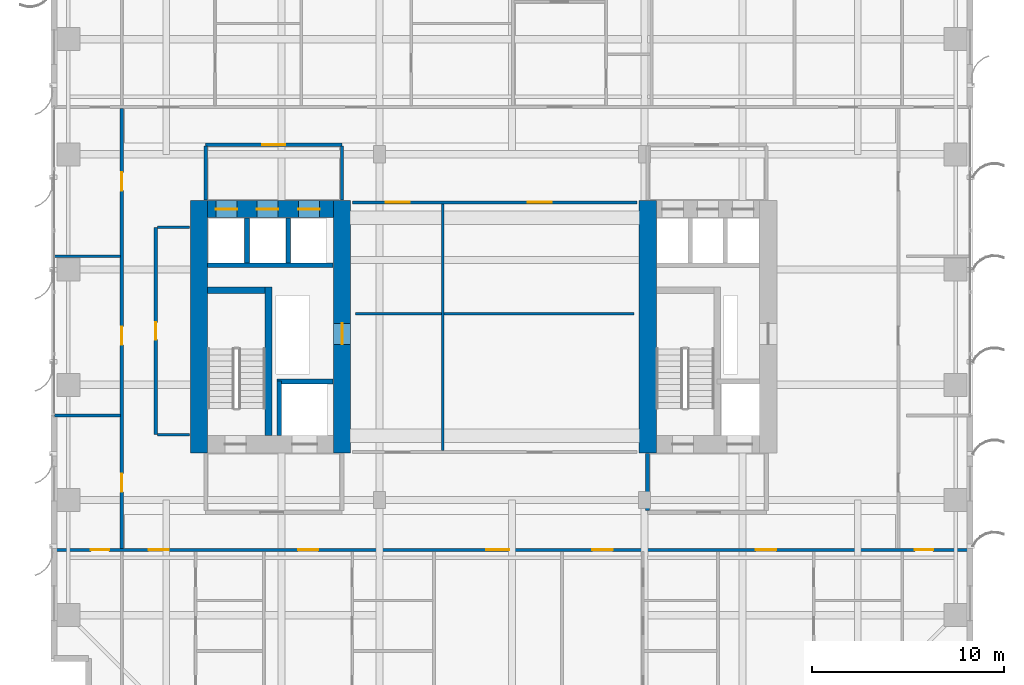
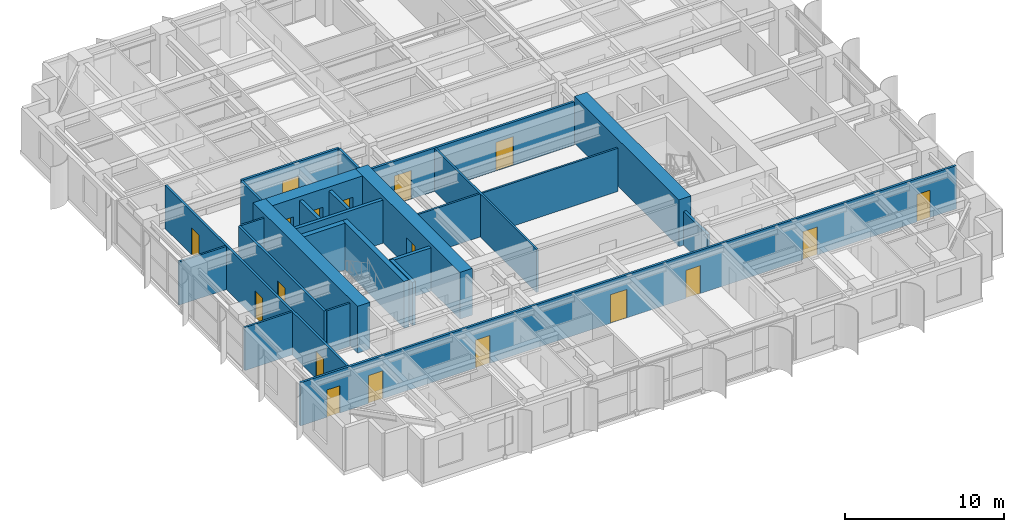
# One storey, part 17 of 24: 25 walls, 18 doors, 18 openings.
"""IFC4 building model written with IfcOpenShell, lengths in metres."""

from ifc_helpers import new_model, si_unit, direction, frame, frame_2d, origin, place, context, subcontext, project, spatial, rectangle, extrude, source, transform, mapped, material, layer, layer_set, type_object, element, fill, save


model = new_model("IFC4")

# Units and contexts
model_context = context("Model", 3, precision=1e-05, world=origin(), true_north=direction((0.0, 1.0)))
body_context = subcontext(model_context, "Body", "Model", "MODEL_VIEW")
ifc_project = project(units=[si_unit("LENGTHUNIT", "METRE"), si_unit("AREAUNIT", "SQUARE_METRE"), si_unit("VOLUMEUNIT", "CUBIC_METRE"), si_unit("PLANEANGLEUNIT", "RADIAN"), si_unit("MASSUNIT", "GRAM", prefix="KILO")], contexts=[model_context])

# Site, building, storey
site_placement = place(None, origin())
site = spatial("IfcSite", under=ifc_project, at=site_placement, CompositionType="ELEMENT")
building_placement = place(site_placement, origin())
building = spatial("IfcBuilding", under=site, at=building_placement, Name="Khoralis Quay Care Tower", CompositionType="ELEMENT")
storey_placement = place(building_placement, frame((0.0, 0.0, 40.5)))
storey = spatial("IfcBuildingStorey", under=building, at=storey_placement, Name="L10", CompositionType="ELEMENT", Elevation=40.5)

# Walls
ifc_material_1 = material(Name="Gypsum plasterboard on acoustic metal stud")
ifc_layer_1 = layer(ifc_material_1, 0.199951171875)
ifc_layer_set_1 = layer_set([ifc_layer_1], Name="Gypsum plasterboard on acoustic metal stud")
wall_type_1 = type_object("IfcWallType", Name="WL-COMP-200", PredefinedType="PARTITIONING", material=ifc_layer_set_1)
wall_1_placement = place(storey_placement, frame((31.050048828125, 11.445068359375, 0.0), z_axis=(0.0, 0.0, 1.0), x_axis=(0.0, 1.0, 0.0)))
element("IfcWall", 1, at=wall_1_placement, inside=storey, type_object=wall_type_1, Name="L10 East Firefighting Lobby West Wall", PredefinedType="PARTITIONING", context=body_context, shape_type="SweptSolid", body=[
    extrude(rectangle(XDim=2.98486328125, YDim=0.199951171875, at=frame_2d((1.492431640625, 0.0))), origin(), (0.0, 0.0, 1.0), 2.625),
])
ifc_material_2 = material(Name="Concrete C80/95", Category="concrete")
ifc_layer_2 = layer(ifc_material_2, 0.89990234375)
ifc_layer_set_2 = layer_set([ifc_layer_2], Name="Concrete C80/95")
wall_type_2 = type_object("IfcWallType", Name="WL-CORE-900", PredefinedType="SHEAR", material=ifc_layer_set_2)
wall_2_placement = place(storey_placement, frame((7.699951171875, 14.449951171875, 0.0), z_axis=(0.0, 0.0, 1.0), x_axis=(0.0, 1.0, 0.0)))
element("IfcWall", 2, at=wall_2_placement, inside=storey, type_object=wall_type_2, Name="L10 WCORE West Shear Wall", PredefinedType="SHEAR", context=body_context, shape_type="SweptSolid", body=[
    extrude(rectangle(XDim=13.150146484375, YDim=0.89990234375, at=frame_2d((6.5751953125, 0.0))), origin(), (0.0, 0.0, 1.0), 3.60009765625),
])

# Wall, opening, door
wall_3_placement = place(storey_placement, frame((15.14990234375, 14.449951171875, 0.0), z_axis=(0.0, 0.0, 1.0), x_axis=(0.0, 1.0, 0.0)))
wall_3 = element("IfcWall", 3, at=wall_3_placement, inside=storey, type_object=wall_type_2, Name="L10 WCORE East Shear Wall", PredefinedType="SHEAR", context=body_context, shape_type="SweptSolid", body=[
    extrude(rectangle(XDim=13.150146484375, YDim=0.89990234375, at=frame_2d((6.5751953125, 0.0))), origin(), (0.0, 0.0, 1.0), 3.60009765625),
])
opening_1_placement = place(wall_3_placement, frame((5.64990234375, 0.0, 0.0)))
opening_1 = element("IfcOpeningElement", 4, at=opening_1_placement, cuts=wall_3, Name="Opening SD1", PredefinedType="OPENING", context=body_context, shape_type="SweptSolid", body=[
    extrude(rectangle(XDim=1.10009765625, YDim=2.199951171875, at=frame_2d((0.550048828125, 1.10009765625))), frame((0.0, 0.4599609375, 0.0), z_axis=(0.0, -1.0, 0.0), x_axis=(1.0, 0.0, 0.0)), (0.0, 0.0, 1.0), 0.919921875),
])
ifc_material_3 = material(Name="Fire-rated painted steel", Category="steel")
door_type_1 = type_object("IfcDoorType", Name="DR-STAIR-1100X2200", OperationType="NOTDEFINED", PredefinedType="DOOR", material=ifc_material_3)
shared_shape_1 = source(origin(), body_context, "Body", "SweptSolid", [
    extrude(rectangle(XDim=1.10009765625, YDim=2.199951171875, at=frame_2d((0.550048828125, 1.10009765625))), frame((0.0, 0.02490234375, 0.0), z_axis=(0.0, -1.0, 0.0), x_axis=(1.0, 0.0, 0.0)), (0.0, 0.0, 1.0), 0.050048828125),
])
door_1_placement = place(opening_1_placement, origin())
door_1 = element("IfcDoor", 5, at=door_1_placement, inside=storey, type_object=door_type_1, Name="L10 West MEP Riser Door", OperationType="SINGLE_SWING_RIGHT", OverallHeight=2.199951171875, OverallWidth=1.10009765625, PredefinedType="DOOR", context=body_context, shape_type="MappedRepresentation", body=[
    mapped(shared_shape_1, transform((0.0, 0.0, 0.0), scale=1.0)),
])
fill(opening_1, door_1)

# Wall, openings, doors
wall_4_placement = place(storey_placement, frame((8.14990234375, 27.14990234375, 0.0), z_axis=(0.0, 0.0, 1.0), x_axis=(1.0, 0.0, 0.0)))
wall_4 = element("IfcWall", 6, at=wall_4_placement, inside=storey, type_object=wall_type_2, Name="L10 WCORE North Shear Wall", PredefinedType="SHEAR", context=body_context, shape_type="SweptSolid", body=[
    extrude(rectangle(XDim=6.550048828125, YDim=0.89990234375, at=frame_2d((3.27490234375, 0.0))), origin(), (0.0, 0.0, 1.0), 3.60009765625),
])
opening_2_placement = place(wall_4_placement, frame((0.429931640625, 0.0, 0.0)))
opening_2 = element("IfcOpeningElement", 7, at=opening_2_placement, cuts=wall_4, Name="Opening LD1", PredefinedType="OPENING", context=body_context, shape_type="SweptSolid", body=[
    extrude(rectangle(XDim=1.10009765625, YDim=2.199951171875, at=frame_2d((0.550048828125, 1.10009765625))), frame((0.0, 0.4599609375, 0.0), z_axis=(0.0, -1.0, 0.0), x_axis=(1.0, 0.0, 0.0)), (0.0, 0.0, 1.0), 0.919921875),
])
opening_3_placement = place(wall_4_placement, frame((2.570068359375, 0.0, 0.0)))
opening_3 = element("IfcOpeningElement", 8, at=opening_3_placement, cuts=wall_4, Name="Opening LD1", PredefinedType="OPENING", context=body_context, shape_type="SweptSolid", body=[
    extrude(rectangle(XDim=1.10009765625, YDim=2.199951171875, at=frame_2d((0.550048828125, 1.10009765625))), frame((0.0, 0.4599609375, 0.0), z_axis=(0.0, -1.0, 0.0), x_axis=(1.0, 0.0, 0.0)), (0.0, 0.0, 1.0), 0.919921875),
])
opening_4_placement = place(wall_4_placement, frame((4.72998046875, 0.0, 0.0)))
opening_4 = element("IfcOpeningElement", 9, at=opening_4_placement, cuts=wall_4, Name="Opening LD1", PredefinedType="OPENING", context=body_context, shape_type="SweptSolid", body=[
    extrude(rectangle(XDim=1.10009765625, YDim=2.199951171875, at=frame_2d((0.550048828125, 1.10009765625))), frame((0.0, 0.4599609375, 0.0), z_axis=(0.0, -1.0, 0.0), x_axis=(1.0, 0.0, 0.0)), (0.0, 0.0, 1.0), 0.919921875),
])
ifc_material_4 = material(Name="Brushed stainless steel", Category="steel")
door_type_2 = type_object("IfcDoorType", Name="DR-LIFT-1100X2200", OperationType="SLIDING_TO_LEFT", PredefinedType="DOOR", material=ifc_material_4)
shared_shape_2 = source(origin(), body_context, "Body", "SweptSolid", [
    extrude(rectangle(XDim=1.10009765625, YDim=2.199951171875, at=frame_2d((0.550048828125, 1.10009765625))), frame((0.0, 0.02490234375, 0.0), z_axis=(0.0, -1.0, 0.0), x_axis=(1.0, 0.0, 0.0)), (0.0, 0.0, 1.0), 0.050048828125),
])
door_2_placement = place(opening_2_placement, origin())
door_2 = element("IfcDoor", 10, at=door_2_placement, inside=storey, type_object=door_type_2, Name="L10 Lift PLL1 Landing Door", OperationType="SLIDING_TO_LEFT", OverallHeight=2.199951171875, OverallWidth=1.10009765625, PredefinedType="DOOR", context=body_context, shape_type="MappedRepresentation", body=[
    mapped(shared_shape_2, transform((0.0, 0.0, 0.0), scale=1.0)),
])
fill(opening_2, door_2)
door_3_placement = place(opening_3_placement, origin())
door_3 = element("IfcDoor", 11, at=door_3_placement, inside=storey, type_object=door_type_2, Name="L10 Lift PLM1 Landing Door", OperationType="SLIDING_TO_LEFT", OverallHeight=2.199951171875, OverallWidth=1.10009765625, PredefinedType="DOOR", context=body_context, shape_type="MappedRepresentation", body=[
    mapped(shared_shape_2, transform((0.0, 0.0, 0.0), scale=1.0)),
])
fill(opening_3, door_3)
door_4_placement = place(opening_4_placement, origin())
door_4 = element("IfcDoor", 12, at=door_4_placement, inside=storey, type_object=door_type_2, Name="L10 Lift PLH1 Landing Door", OperationType="SLIDING_TO_LEFT", OverallHeight=2.199951171875, OverallWidth=1.10009765625, PredefinedType="DOOR", context=body_context, shape_type="MappedRepresentation", body=[
    mapped(shared_shape_2, transform((0.0, 0.0, 0.0), scale=1.0)),
])
fill(opening_4, door_4)

# Wall
wall_5_placement = place(storey_placement, frame((31.070068359375, 14.449951171875, 0.0), z_axis=(0.0, 0.0, 1.0), x_axis=(0.0, 1.0, 0.0)))
element("IfcWall", 13, at=wall_5_placement, inside=storey, type_object=wall_type_2, Name="L10 ECORE West Shear Wall", PredefinedType="SHEAR", context=body_context, shape_type="SweptSolid", body=[
    extrude(rectangle(XDim=13.150146484375, YDim=0.89990234375, at=frame_2d((6.5751953125, 0.0))), origin(), (0.0, 0.0, 1.0), 3.60009765625),
])

# Wall, opening, door
ifc_layer_3 = layer(ifc_material_1, 0.1650390625)
ifc_layer_set_3 = layer_set([ifc_layer_3], Name="Gypsum plasterboard on acoustic metal stud")
wall_type_3 = type_object("IfcWallType", Name="WL-CORR-165", PredefinedType="PARTITIONING", material=ifc_layer_set_3)
wall_6_placement = place(storey_placement, frame((8.050048828125, 30.5, 0.0), z_axis=(0.0, 0.0, 1.0), x_axis=(1.0, 0.0, 0.0)))
wall_6 = element("IfcWall", 14, at=wall_6_placement, inside=storey, type_object=wall_type_3, Name="L10 West Lift Lobby North Wall", PredefinedType="PARTITIONING", context=body_context, shape_type="SweptSolid", body=[
    extrude(rectangle(XDim=7.099853515625, YDim=0.1650390625, at=frame_2d((3.5498046875, 0.0))), origin(), (0.0, 0.0, 1.0), 3.320068359375),
])
opening_5_placement = place(wall_6_placement, frame((2.949951171875, 0.0, 0.0)))
opening_5 = element("IfcOpeningElement", 15, at=opening_5_placement, cuts=wall_6, Name="Opening FD1", PredefinedType="OPENING", context=body_context, shape_type="SweptSolid", body=[
    extrude(rectangle(XDim=1.199951171875, YDim=2.199951171875, at=frame_2d((0.60009765625, 1.10009765625))), frame((0.0, 0.092529296875, 0.0), z_axis=(0.0, -1.0, 0.0), x_axis=(1.0, 0.0, 0.0)), (0.0, 0.0, 1.0), 0.18505859375),
])
door_type_3 = type_object("IfcDoorType", Name="DR-FFL-1200X2200", OperationType="NOTDEFINED", PredefinedType="DOOR", material=ifc_material_3)
shared_shape_3 = source(origin(), body_context, "Body", "SweptSolid", [
    extrude(rectangle(XDim=1.199951171875, YDim=2.199951171875, at=frame_2d((0.60009765625, 1.10009765625))), frame((0.0, 0.02490234375, 0.0), z_axis=(0.0, -1.0, 0.0), x_axis=(1.0, 0.0, 0.0)), (0.0, 0.0, 1.0), 0.050048828125),
])
door_5_placement = place(opening_5_placement, origin())
door_5 = element("IfcDoor", 16, at=door_5_placement, inside=storey, type_object=door_type_3, Name="L10 West Lift Lobby Double Door", OperationType="DOUBLE_DOOR_SINGLE_SWING", OverallHeight=2.199951171875, OverallWidth=1.199951171875, PredefinedType="DOOR", context=body_context, shape_type="MappedRepresentation", body=[
    mapped(shared_shape_3, transform((0.0, 0.0, 0.0), scale=1.0)),
])
fill(opening_5, door_5)

# Walls
for number, where, z_axis, x_axis, name in (
    (17, (8.050048828125, 27.6201171875, 0.0), (0.0, 0.0, 1.0), (0.0, 1.0, 0.0), "L10 West Lift Lobby West Wall"),
    (18, (15.14990234375, 27.6201171875, 0.0), (0.0, 0.0, 1.0), (0.0, 1.0, 0.0), "L10 West Lift Lobby East Wall"),
):
    element("IfcWall", number, at=place(storey_placement, frame(where, z_axis=z_axis, x_axis=x_axis)), inside=storey, type_object=wall_type_3, Name=name, PredefinedType="PARTITIONING", context=body_context, shape_type="SweptSolid", body=[
        extrude(rectangle(XDim=2.802490234375, YDim=0.1650390625, at=frame_2d((1.4013671875, 0.0))), origin(), (0.0, 0.0, 1.0), 3.320068359375),
    ])

# Wall, opening, door
wall_7_placement = place(storey_placement, frame((5.449951171875, 15.39990234375, 0.0), z_axis=(0.0, 0.0, 1.0), x_axis=(0.0, 1.0, 0.0)))
wall_7 = element("IfcWall", 19, at=wall_7_placement, inside=storey, type_object=wall_type_3, Name="L10 West Core Service Flank Wall", PredefinedType="PARTITIONING", context=body_context, shape_type="SweptSolid", body=[
    extrude(rectangle(XDim=10.800048828125, YDim=0.1650390625, at=frame_2d((5.39990234375, 0.0))), origin(), (0.0, 0.0, 1.0), 3.320068359375),
])
opening_6_placement = place(wall_7_placement, frame((4.949951171875, 0.0, 0.0)))
opening_6 = element("IfcOpeningElement", 20, at=opening_6_placement, cuts=wall_7, Name="Opening WD1", PredefinedType="OPENING", context=body_context, shape_type="SweptSolid", body=[
    extrude(rectangle(XDim=0.89990234375, YDim=2.10009765625, at=frame_2d((0.449951171875, 1.050048828125))), frame((0.0, 0.092529296875, 0.0), z_axis=(0.0, -1.0, 0.0), x_axis=(1.0, 0.0, 0.0)), (0.0, 0.0, 1.0), 0.18505859375),
])
ifc_material_5 = material(Name="Acoustic hardwood timber", Category="wood")
door_type_4 = type_object("IfcDoorType", Name="DR-BATH-900X2100", OperationType="NOTDEFINED", PredefinedType="DOOR", material=ifc_material_5)
shared_shape_4 = source(origin(), body_context, "Body", "SweptSolid", [
    extrude(rectangle(XDim=0.89990234375, YDim=2.10009765625, at=frame_2d((0.449951171875, 1.050048828125))), frame((0.0, 0.02490234375, 0.0), z_axis=(0.0, -1.0, 0.0), x_axis=(1.0, 0.0, 0.0)), (0.0, 0.0, 1.0), 0.050048828125),
])
door_6_placement = place(opening_6_placement, frame((0.89990234375, 0.0, 0.0), z_axis=(0.0, 0.0, 1.0), x_axis=(-1.0, 0.0, 0.0)))
door_6 = element("IfcDoor", 21, at=door_6_placement, inside=storey, type_object=door_type_4, Name="L10 Housekeeping & Public Accessible WC Door", OperationType="SINGLE_SWING_LEFT", OverallHeight=2.10009765625, OverallWidth=0.89990234375, PredefinedType="DOOR", context=body_context, shape_type="MappedRepresentation", body=[
    mapped(shared_shape_4, transform((0.0, 0.0, 0.0), scale=1.0)),
])
fill(opening_6, door_6)

# Wall, openings, doors
wall_8_placement = place(storey_placement, frame((0.14501953125, 9.39990234375, 0.0), z_axis=(0.0, 0.0, 1.0), x_axis=(1.0, 0.0, 0.0)))
wall_8 = element("IfcWall", 22, at=wall_8_placement, inside=storey, type_object=wall_type_3, Name="L10 South Main Corridor Wall", PredefinedType="PARTITIONING", context=body_context, shape_type="SweptSolid", body=[
    extrude(rectangle(XDim=47.7099609375, YDim=0.1650390625, at=frame_2d((23.85498046875, 0.0))), origin(), (0.0, 0.0, 1.0), 3.320068359375),
])
opening_7_placement = place(wall_8_placement, frame((4.93408203125, 0.0, 0.0)))
opening_7 = element("IfcOpeningElement", 23, at=opening_7_placement, cuts=wall_8, Name="Opening UD1", PredefinedType="OPENING", context=body_context, shape_type="SweptSolid", body=[
    extrude(rectangle(XDim=1.050048828125, YDim=2.14990234375, at=frame_2d((0.52490234375, 1.074951171875))), frame((0.0, 0.092529296875, 0.0), z_axis=(0.0, -1.0, 0.0), x_axis=(1.0, 0.0, 0.0)), (0.0, 0.0, 1.0), 0.18505859375),
])
opening_8_placement = place(wall_8_placement, frame((12.71337890625, 0.0, 0.0)))
opening_8 = element("IfcOpeningElement", 24, at=opening_8_placement, cuts=wall_8, Name="Opening UD1", PredefinedType="OPENING", context=body_context, shape_type="SweptSolid", body=[
    extrude(rectangle(XDim=1.050048828125, YDim=2.14990234375, at=frame_2d((0.52490234375, 1.074951171875))), frame((0.0, 0.092529296875, 0.0), z_axis=(0.0, -1.0, 0.0), x_axis=(1.0, 0.0, 0.0)), (0.0, 0.0, 1.0), 0.18505859375),
])
opening_9_placement = place(wall_8_placement, frame((22.52490234375, 0.0, 0.0)))
opening_9 = element("IfcOpeningElement", 25, at=opening_9_placement, cuts=wall_8, Name="Opening FD1", PredefinedType="OPENING", context=body_context, shape_type="SweptSolid", body=[
    extrude(rectangle(XDim=1.199951171875, YDim=2.199951171875, at=frame_2d((0.60009765625, 1.10009765625))), frame((0.0, 0.092529296875, 0.0), z_axis=(0.0, -1.0, 0.0), x_axis=(1.0, 0.0, 0.0)), (0.0, 0.0, 1.0), 0.18505859375),
])
opening_10_placement = place(wall_8_placement, frame((28.0439453125, 0.0, 0.0)))
opening_10 = element("IfcOpeningElement", 26, at=opening_10_placement, cuts=wall_8, Name="Opening UD1", PredefinedType="OPENING", context=body_context, shape_type="SweptSolid", body=[
    extrude(rectangle(XDim=1.050048828125, YDim=2.14990234375, at=frame_2d((0.52490234375, 1.074951171875))), frame((0.0, 0.092529296875, 0.0), z_axis=(0.0, -1.0, 0.0), x_axis=(1.0, 0.0, 0.0)), (0.0, 0.0, 1.0), 0.18505859375),
])
opening_11_placement = place(wall_8_placement, frame((36.553466796875, 0.0, 0.0)))
opening_11 = element("IfcOpeningElement", 27, at=opening_11_placement, cuts=wall_8, Name="Opening UD1", PredefinedType="OPENING", context=body_context, shape_type="SweptSolid", body=[
    extrude(rectangle(XDim=1.050048828125, YDim=2.14990234375, at=frame_2d((0.52490234375, 1.074951171875))), frame((0.0, 0.092529296875, 0.0), z_axis=(0.0, -1.0, 0.0), x_axis=(1.0, 0.0, 0.0)), (0.0, 0.0, 1.0), 0.18505859375),
])
opening_12_placement = place(wall_8_placement, frame((1.919921875, 0.0, 0.0)))
opening_12 = element("IfcOpeningElement", 28, at=opening_12_placement, cuts=wall_8, Name="Opening ID1", PredefinedType="OPENING", context=body_context, shape_type="SweptSolid", body=[
    extrude(rectangle(XDim=0.949951171875, YDim=2.10009765625, at=frame_2d((0.47509765625, 1.050048828125))), frame((0.0, 0.092529296875, 0.0), z_axis=(0.0, -1.0, 0.0), x_axis=(1.0, 0.0, 0.0)), (0.0, 0.0, 1.0), 0.18505859375),
])
opening_13_placement = place(wall_8_placement, frame((44.840087890625, 0.0, 0.0)))
opening_13 = element("IfcOpeningElement", 29, at=opening_13_placement, cuts=wall_8, Name="Opening ID1", PredefinedType="OPENING", context=body_context, shape_type="SweptSolid", body=[
    extrude(rectangle(XDim=0.949951171875, YDim=2.10009765625, at=frame_2d((0.47509765625, 1.050048828125))), frame((0.0, 0.092529296875, 0.0), z_axis=(0.0, -1.0, 0.0), x_axis=(1.0, 0.0, 0.0)), (0.0, 0.0, 1.0), 0.18505859375),
])
door_7_placement = place(opening_9_placement, frame((1.199951171875, 0.0, 0.0), z_axis=(0.0, 0.0, 1.0), x_axis=(-1.0, 0.0, 0.0)))
door_7 = element("IfcDoor", 30, at=door_7_placement, inside=storey, type_object=door_type_3, Name="L10 Resident Communal Day Lounge Door", OperationType="DOUBLE_DOOR_SINGLE_SWING", OverallHeight=2.199951171875, OverallWidth=1.199951171875, PredefinedType="DOOR", context=body_context, shape_type="MappedRepresentation", body=[
    mapped(shared_shape_3, transform((0.0, 0.0, 0.0), scale=1.0)),
])
fill(opening_9, door_7)
door_type_5 = type_object("IfcDoorType", Name="DR-ROOM-950X2100", OperationType="NOTDEFINED", PredefinedType="DOOR", material=ifc_material_5)
shared_shape_5 = source(origin(), body_context, "Body", "SweptSolid", [
    extrude(rectangle(XDim=0.949951171875, YDim=2.10009765625, at=frame_2d((0.47509765625, 1.050048828125))), frame((0.0, 0.02490234375, 0.0), z_axis=(0.0, -1.0, 0.0), x_axis=(1.0, 0.0, 0.0)), (0.0, 0.0, 1.0), 0.050048828125),
])
door_8_placement = place(opening_12_placement, frame((0.949951171875, 0.0, 0.0), z_axis=(0.0, 0.0, 1.0), x_axis=(-1.0, 0.0, 0.0)))
door_8 = element("IfcDoor", 31, at=door_8_placement, inside=storey, type_object=door_type_5, Name="L10 SW Corner Door", OperationType="SINGLE_SWING_LEFT", OverallHeight=2.10009765625, OverallWidth=0.949951171875, PredefinedType="DOOR", context=body_context, shape_type="MappedRepresentation", body=[
    mapped(shared_shape_5, transform((0.0, 0.0, 0.0), scale=1.0)),
])
fill(opening_12, door_8)
door_9_placement = place(opening_13_placement, frame((0.949951171875, 0.0, 0.0), z_axis=(0.0, 0.0, 1.0), x_axis=(-1.0, 0.0, 0.0)))
door_9 = element("IfcDoor", 32, at=door_9_placement, inside=storey, type_object=door_type_5, Name="L10 SE Corner Door", OperationType="SINGLE_SWING_RIGHT", OverallHeight=2.10009765625, OverallWidth=0.949951171875, PredefinedType="DOOR", context=body_context, shape_type="MappedRepresentation", body=[
    mapped(shared_shape_5, transform((0.0, 0.0, 0.0), scale=1.0)),
])
fill(opening_13, door_9)
door_type_6 = type_object("IfcDoorType", Name="DR-SUITE-1050X2150", OperationType="NOTDEFINED", PredefinedType="DOOR", material=ifc_material_5)
shared_shape_6 = source(origin(), body_context, "Body", "SweptSolid", [
    extrude(rectangle(XDim=1.050048828125, YDim=2.14990234375, at=frame_2d((0.52490234375, 1.074951171875))), frame((0.0, 0.02490234375, 0.0), z_axis=(0.0, -1.0, 0.0), x_axis=(1.0, 0.0, 0.0)), (0.0, 0.0, 1.0), 0.050048828125),
])
door_10_placement = place(opening_7_placement, frame((1.050048828125, 0.0, 0.0), z_axis=(0.0, 0.0, 1.0), x_axis=(-1.0, 0.0, 0.0)))
door_10 = element("IfcDoor", 33, at=door_10_placement, inside=storey, type_object=door_type_6, Name="L10 Apartment SB0 Entrance Door", OperationType="SINGLE_SWING_RIGHT", OverallHeight=2.14990234375, OverallWidth=1.050048828125, PredefinedType="DOOR", context=body_context, shape_type="MappedRepresentation", body=[
    mapped(shared_shape_6, transform((0.0, 0.0, 0.0), scale=1.0)),
])
fill(opening_7, door_10)
door_11_placement = place(opening_8_placement, frame((1.050048828125, 0.0, 0.0), z_axis=(0.0, 0.0, 1.0), x_axis=(-1.0, 0.0, 0.0)))
door_11 = element("IfcDoor", 34, at=door_11_placement, inside=storey, type_object=door_type_6, Name="L10 Apartment SB1 Entrance Door", OperationType="SINGLE_SWING_LEFT", OverallHeight=2.14990234375, OverallWidth=1.050048828125, PredefinedType="DOOR", context=body_context, shape_type="MappedRepresentation", body=[
    mapped(shared_shape_6, transform((0.0, 0.0, 0.0), scale=1.0)),
])
fill(opening_8, door_11)
door_12_placement = place(opening_10_placement, frame((1.050048828125, 0.0, 0.0), z_axis=(0.0, 0.0, 1.0), x_axis=(-1.0, 0.0, 0.0)))
door_12 = element("IfcDoor", 35, at=door_12_placement, inside=storey, type_object=door_type_6, Name="L10 Apartment SB3 Entrance Door", OperationType="SINGLE_SWING_LEFT", OverallHeight=2.14990234375, OverallWidth=1.050048828125, PredefinedType="DOOR", context=body_context, shape_type="MappedRepresentation", body=[
    mapped(shared_shape_6, transform((0.0, 0.0, 0.0), scale=1.0)),
])
fill(opening_10, door_12)
door_13_placement = place(opening_11_placement, frame((1.050048828125, 0.0, 0.0), z_axis=(0.0, 0.0, 1.0), x_axis=(-1.0, 0.0, 0.0)))
door_13 = element("IfcDoor", 36, at=door_13_placement, inside=storey, type_object=door_type_6, Name="L10 Apartment SB4 Entrance Door", OperationType="SINGLE_SWING_RIGHT", OverallHeight=2.14990234375, OverallWidth=1.050048828125, PredefinedType="DOOR", context=body_context, shape_type="MappedRepresentation", body=[
    mapped(shared_shape_6, transform((0.0, 0.0, 0.0), scale=1.0)),
])
fill(opening_11, door_13)

wall_9_placement = place(storey_placement, frame((3.679931640625, 9.4775390625, 0.0), z_axis=(0.0, 0.0, 1.0), x_axis=(0.0, 1.0, 0.0)))
wall_9 = element("IfcWall", 37, at=wall_9_placement, inside=storey, type_object=wall_type_3, Name="L10 West Loop Corridor Wall", PredefinedType="PARTITIONING", context=body_context, shape_type="SweptSolid", body=[
    extrude(rectangle(XDim=22.905029296875, YDim=0.1650390625, at=frame_2d((11.45263671875, 0.0))), origin(), (0.0, 0.0, 1.0), 3.320068359375),
])
opening_14_placement = place(wall_9_placement, frame((2.947509765625, 0.0, 0.0)))
opening_14 = element("IfcOpeningElement", 38, at=opening_14_placement, cuts=wall_9, Name="Opening ID1", PredefinedType="OPENING", context=body_context, shape_type="SweptSolid", body=[
    extrude(rectangle(XDim=0.949951171875, YDim=2.10009765625, at=frame_2d((0.47509765625, 1.050048828125))), frame((0.0, 0.092529296875, 0.0), z_axis=(0.0, -1.0, 0.0), x_axis=(1.0, 0.0, 0.0)), (0.0, 0.0, 1.0), 0.18505859375),
])
opening_15_placement = place(wall_9_placement, frame((10.597412109375, 0.0, 0.0)))
opening_15 = element("IfcOpeningElement", 39, at=opening_15_placement, cuts=wall_9, Name="Opening ID1", PredefinedType="OPENING", context=body_context, shape_type="SweptSolid", body=[
    extrude(rectangle(XDim=0.949951171875, YDim=2.10009765625, at=frame_2d((0.47509765625, 1.050048828125))), frame((0.0, 0.092529296875, 0.0), z_axis=(0.0, -1.0, 0.0), x_axis=(1.0, 0.0, 0.0)), (0.0, 0.0, 1.0), 0.18505859375),
])
opening_16_placement = place(wall_9_placement, frame((18.62744140625, 0.0, 0.0)))
opening_16 = element("IfcOpeningElement", 40, at=opening_16_placement, cuts=wall_9, Name="Opening ID1", PredefinedType="OPENING", context=body_context, shape_type="SweptSolid", body=[
    extrude(rectangle(XDim=0.949951171875, YDim=2.10009765625, at=frame_2d((0.47509765625, 1.050048828125))), frame((0.0, 0.092529296875, 0.0), z_axis=(0.0, -1.0, 0.0), x_axis=(1.0, 0.0, 0.0)), (0.0, 0.0, 1.0), 0.18505859375),
])
door_14_placement = place(opening_14_placement, origin())
door_14 = element("IfcDoor", 41, at=door_14_placement, inside=storey, type_object=door_type_5, Name="L10 Therapy Consultation Room Door", OperationType="SINGLE_SWING_LEFT", OverallHeight=2.10009765625, OverallWidth=0.949951171875, PredefinedType="DOOR", context=body_context, shape_type="MappedRepresentation", body=[
    mapped(shared_shape_5, transform((0.0, 0.0, 0.0), scale=1.0)),
])
fill(opening_14, door_14)
door_15_placement = place(opening_15_placement, origin())
door_15 = element("IfcDoor", 42, at=door_15_placement, inside=storey, type_object=door_type_5, Name="L10 Assisted Activity Lounge Door", OperationType="SINGLE_SWING_RIGHT", OverallHeight=2.10009765625, OverallWidth=0.949951171875, PredefinedType="DOOR", context=body_context, shape_type="MappedRepresentation", body=[
    mapped(shared_shape_5, transform((0.0, 0.0, 0.0), scale=1.0)),
])
fill(opening_15, door_15)
door_16_placement = place(opening_16_placement, origin())
door_16 = element("IfcDoor", 43, at=door_16_placement, inside=storey, type_object=door_type_5, Name="L10 Nurse Charting Office Door", OperationType="SINGLE_SWING_LEFT", OverallHeight=2.10009765625, OverallWidth=0.949951171875, PredefinedType="DOOR", context=body_context, shape_type="MappedRepresentation", body=[
    mapped(shared_shape_5, transform((0.0, 0.0, 0.0), scale=1.0)),
])
fill(opening_16, door_16)

wall_10_placement = place(storey_placement, frame((15.699951171875, 27.5, 0.0), z_axis=(0.0, 0.0, 1.0), x_axis=(1.0, 0.0, 0.0)))
wall_10 = element("IfcWall", 44, at=wall_10_placement, inside=storey, type_object=wall_type_3, Name="L10 Central Clinical North Wall", PredefinedType="PARTITIONING", context=body_context, shape_type="SweptSolid", body=[
    extrude(rectangle(XDim=14.800048828125, YDim=0.1650390625, at=frame_2d((7.39990234375, 0.0))), origin(), (0.0, 0.0, 1.0), 3.320068359375),
])
opening_17_placement = place(wall_10_placement, frame((1.72509765625, 0.0, 0.0)))
opening_17 = element("IfcOpeningElement", 45, at=opening_17_placement, cuts=wall_10, Name="Opening CD1", PredefinedType="OPENING", context=body_context, shape_type="SweptSolid", body=[
    extrude(rectangle(XDim=1.25, YDim=2.199951171875, at=frame_2d((0.625, 1.10009765625))), frame((0.0, 0.092529296875, 0.0), z_axis=(0.0, -1.0, 0.0), x_axis=(1.0, 0.0, 0.0)), (0.0, 0.0, 1.0), 0.18505859375),
])
opening_18_placement = place(wall_10_placement, frame((9.125, 0.0, 0.0)))
opening_18 = element("IfcOpeningElement", 46, at=opening_18_placement, cuts=wall_10, Name="Opening CD1", PredefinedType="OPENING", context=body_context, shape_type="SweptSolid", body=[
    extrude(rectangle(XDim=1.25, YDim=2.199951171875, at=frame_2d((0.625, 1.10009765625))), frame((0.0, 0.092529296875, 0.0), z_axis=(0.0, -1.0, 0.0), x_axis=(1.0, 0.0, 0.0)), (0.0, 0.0, 1.0), 0.18505859375),
])
door_type_7 = type_object("IfcDoorType", Name="DR-CARE-1250X2200", OperationType="NOTDEFINED", PredefinedType="DOOR", material=ifc_material_5)
shared_shape_7 = source(origin(), body_context, "Body", "SweptSolid", [
    extrude(rectangle(XDim=1.25, YDim=2.199951171875, at=frame_2d((0.625, 1.10009765625))), frame((0.0, 0.02490234375, 0.0), z_axis=(0.0, -1.0, 0.0), x_axis=(1.0, 0.0, 0.0)), (0.0, 0.0, 1.0), 0.050048828125),
])
door_17_placement = place(opening_17_placement, frame((1.25, 0.0, 0.0), z_axis=(0.0, 0.0, 1.0), x_axis=(-1.0, 0.0, 0.0)))
door_17 = element("IfcDoor", 47, at=door_17_placement, inside=storey, type_object=door_type_7, Name="L10 Library Lounge Door", OperationType="SINGLE_SWING_LEFT", OverallHeight=2.199951171875, OverallWidth=1.25, PredefinedType="DOOR", context=body_context, shape_type="MappedRepresentation", body=[
    mapped(shared_shape_7, transform((0.0, 0.0, 0.0), scale=1.0)),
])
fill(opening_17, door_17)
door_18_placement = place(opening_18_placement, frame((1.25, 0.0, 0.0), z_axis=(0.0, 0.0, 1.0), x_axis=(-1.0, 0.0, 0.0)))
door_18 = element("IfcDoor", 48, at=door_18_placement, inside=storey, type_object=door_type_7, Name="L10 Occupational Therapy Door", OperationType="SINGLE_SWING_RIGHT", OverallHeight=2.199951171875, OverallWidth=1.25, PredefinedType="DOOR", context=body_context, shape_type="MappedRepresentation", body=[
    mapped(shared_shape_7, transform((0.0, 0.0, 0.0), scale=1.0)),
])
fill(opening_18, door_18)

# Walls
ifc_material_6 = material(Name="Concrete C40/50", Category="concrete")
ifc_layer_4 = layer(ifc_material_6, 0.35009765625)
ifc_layer_set_4 = layer_set([ifc_layer_4], Name="Concrete C40/50")
wall_type_4 = type_object("IfcWallType", Name="WL-SC-CORE-350", PredefinedType="SHEAR", material=ifc_layer_set_4)
wall_11_placement = place(storey_placement, frame((11.324951171875, 15.35009765625, 0.0), z_axis=(0.0, 0.0, 1.0), x_axis=(0.0, 1.0, 0.0)))
element("IfcWall", 49, at=wall_11_placement, inside=storey, type_object=wall_type_4, Name="L10 Stair ST-T1 Shear Baffle Wall East", PredefinedType="SHEAR", context=body_context, shape_type="SweptSolid", body=[
    extrude(rectangle(XDim=7.75, YDim=0.35009765625, at=frame_2d((3.875, 0.0))), origin(), (0.0, 0.0, 1.0), 3.60009765625),
])
wall_12_placement = place(storey_placement, frame((8.14990234375, 22.925048828125, 0.0), z_axis=(0.0, 0.0, 1.0), x_axis=(1.0, 0.0, 0.0)))
element("IfcWall", 50, at=wall_12_placement, inside=storey, type_object=wall_type_4, Name="L10 Stair ST-T1 Shear Baffle Wall North", PredefinedType="SHEAR", context=body_context, shape_type="SweptSolid", body=[
    extrude(rectangle(XDim=3.0, YDim=0.35009765625, at=frame_2d((1.5, 0.0))), origin(), (0.0, 0.0, 1.0), 3.60009765625),
])
ifc_layer_5 = layer(ifc_material_1, 0.239990234375)
ifc_layer_set_5 = layer_set([ifc_layer_5], Name="Gypsum plasterboard on acoustic metal stud")
wall_type_5 = type_object("IfcWallType", Name="WL-SHAFT-240", PredefinedType="PARTITIONING", material=ifc_layer_set_5)
wall_13_placement = place(storey_placement, frame((11.8798828125, 15.35009765625, 0.0), z_axis=(0.0, 0.0, 1.0), x_axis=(0.0, 1.0, 0.0)))
element("IfcWall", 51, at=wall_13_placement, inside=storey, type_object=wall_type_5, Name="L10 FFL-1 Shaft Wall West", PredefinedType="PARTITIONING", context=body_context, shape_type="SweptSolid", body=[
    extrude(rectangle(XDim=2.849853515625, YDim=0.239990234375, at=frame_2d((1.4248046875, 0.0))), origin(), (0.0, 0.0, 1.0), 3.320068359375),
])
wall_14_placement = place(storey_placement, frame((11.760009765625, 18.169921875, 0.0), z_axis=(0.0, 0.0, 1.0), x_axis=(1.0, 0.0, 0.0)))
element("IfcWall", 52, at=wall_14_placement, inside=storey, type_object=wall_type_5, Name="L10 FFL-1 Shaft Wall North", PredefinedType="PARTITIONING", context=body_context, shape_type="SweptSolid", body=[
    extrude(rectangle(XDim=2.919921875, YDim=0.239990234375, at=frame_2d((1.4599609375, 0.0))), origin(), (0.0, 0.0, 1.0), 3.320068359375),
])
wall_15_placement = place(storey_placement, frame((8.14990234375, 24.22998046875, 0.0), z_axis=(0.0, 0.0, 1.0), x_axis=(1.0, 0.0, 0.0)))
element("IfcWall", 53, at=wall_15_placement, inside=storey, type_object=wall_type_5, Name="L10 West Passenger Shaft South Wall", PredefinedType="PARTITIONING", context=body_context, shape_type="SweptSolid", body=[
    extrude(rectangle(XDim=6.530029296875, YDim=0.239990234375, at=frame_2d((3.26513671875, 0.0))), origin(), (0.0, 0.0, 1.0), 3.320068359375),
])
for number, where, z_axis, x_axis, name in (
    (54, (10.199951171875, 24.344970703125, 0.0), (0.0, 0.0, 1.0), (0.0, 1.0, 0.0), "L10 West Shaft Divider 1"),
    (55, (12.35009765625, 24.344970703125, 0.0), (0.0, 0.0, 1.0), (0.0, 1.0, 0.0), "L10 West Shaft Divider 2"),
):
    element("IfcWall", number, at=place(storey_placement, frame(where, z_axis=z_axis, x_axis=x_axis)), inside=storey, type_object=wall_type_5, Name=name, PredefinedType="PARTITIONING", context=body_context, shape_type="SweptSolid", body=[
        extrude(rectangle(XDim=2.3349609375, YDim=0.239990234375, at=frame_2d((1.16748046875, 0.0))), origin(), (0.0, 0.0, 1.0), 3.320068359375),
    ])
ifc_layer_6 = layer(ifc_material_1, 0.139892578125)
ifc_layer_set_6 = layer_set([ifc_layer_6], Name="Gypsum plasterboard on acoustic metal stud")
wall_type_6 = type_object("IfcWallType", Name="WL-UNIT-140", PredefinedType="PARTITIONING", material=ifc_layer_set_6)
for number, where, z_axis, x_axis, name in (
    (56, (5.527587890625, 15.39990234375, 0.0), (0.0, 0.0, 1.0), (1.0, 0.0, 0.0), "L10 West Flank South Cap"),
    (57, (5.527587890625, 26.199951171875, 0.0), (0.0, 0.0, 1.0), (1.0, 0.0, 0.0), "L10 West Flank North Cap"),
):
    element("IfcWall", number, at=place(storey_placement, frame(where, z_axis=z_axis, x_axis=x_axis)), inside=storey, type_object=wall_type_6, Name=name, PredefinedType="PARTITIONING", context=body_context, shape_type="SweptSolid", body=[
        extrude(rectangle(XDim=1.682373046875, YDim=0.139892578125, at=frame_2d((0.84130859375, 0.0))), origin(), (0.0, 0.0, 1.0), 3.320068359375),
    ])
for number, where, z_axis, x_axis, name in (
    (58, (0.14501953125, 16.39990234375, 0.0), (0.0, 0.0, 1.0), (1.0, 0.0, 0.0), "L10 WW Divider 1"),
    (59, (0.14501953125, 24.699951171875, 0.0), (0.0, 0.0, 1.0), (1.0, 0.0, 0.0), "L10 WW Divider 2"),
):
    element("IfcWall", number, at=place(storey_placement, frame(where, z_axis=z_axis, x_axis=x_axis)), inside=storey, type_object=wall_type_6, Name=name, PredefinedType="PARTITIONING", context=body_context, shape_type="SweptSolid", body=[
        extrude(rectangle(XDim=3.45751953125, YDim=0.139892578125, at=frame_2d((1.728759765625, 0.0))), origin(), (0.0, 0.0, 1.0), 3.320068359375),
    ])
wall_16_placement = place(storey_placement, frame((20.39990234375, 14.577392578125, 0.0), z_axis=(0.0, 0.0, 1.0), x_axis=(0.0, 1.0, 0.0)))
element("IfcWall", 60, at=wall_16_placement, inside=storey, type_object=wall_type_6, Name="L10 Central Split V", PredefinedType="PARTITIONING", context=body_context, shape_type="SweptSolid", body=[
    extrude(rectangle(XDim=12.84521484375, YDim=0.139892578125, at=frame_2d((6.422607421875, 0.0))), origin(), (0.0, 0.0, 1.0), 3.320068359375),
])
wall_17_placement = place(storey_placement, frame((15.85009765625, 21.699951171875, 0.0), z_axis=(0.0, 0.0, 1.0), x_axis=(1.0, 0.0, 0.0)))
element("IfcWall", 61, at=wall_17_placement, inside=storey, type_object=wall_type_6, Name="L10 Central Split H", PredefinedType="PARTITIONING", context=body_context, shape_type="SweptSolid", body=[
    extrude(rectangle(XDim=14.5, YDim=0.139892578125, at=frame_2d((7.25, 0.0))), origin(), (0.0, 0.0, 1.0), 3.320068359375),
])

save(model, "model.ifc")
